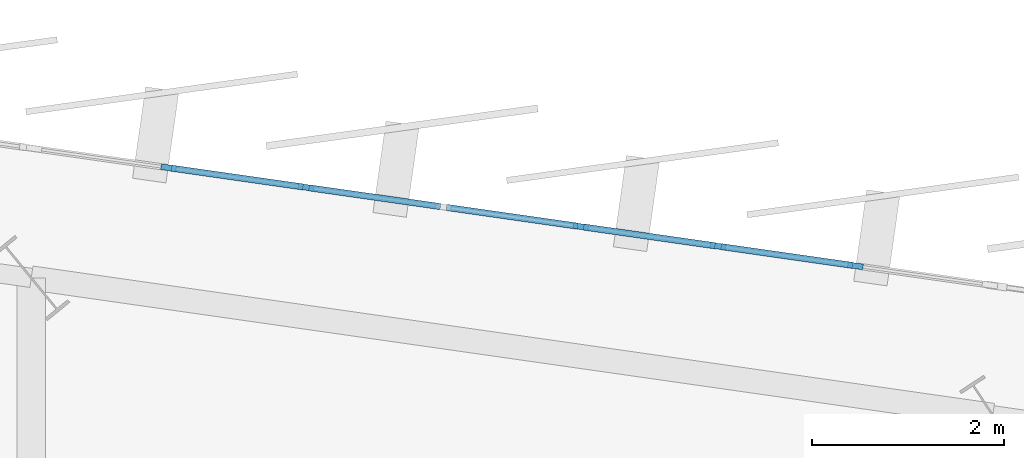
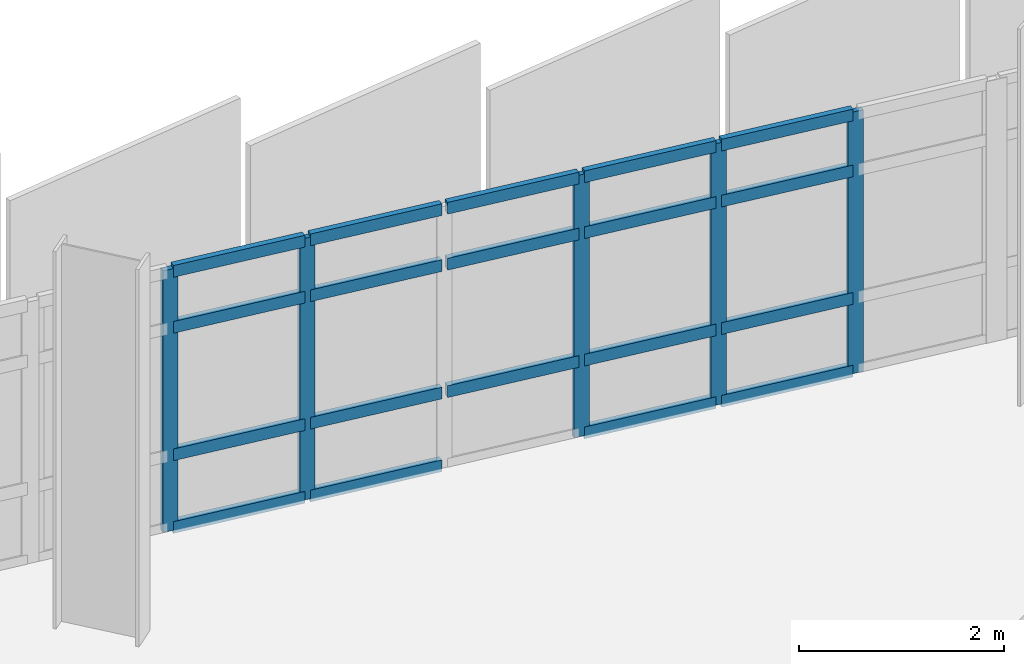
# One storey, part 38 of 87: 24 members, 1 element without a shape of its own.
"""IFC4 building model written with IfcOpenShell, lengths in metres."""

from ifc_helpers import new_model, si_unit, direction, frame, origin, origin_2d, place, context, subcontext, project, spatial, rectangle, extrude, material, layer, layer_set, material_profile, profile_set, type_object, element, aggregate, save


model = new_model("IFC4")

# Units and contexts
model_context = context("Model", 3, precision=1e-05, world=origin(), true_north=direction((0.0, 1.0)))
body_context = subcontext(model_context, "Body", "Model", "MODEL_VIEW")
ifc_project = project(units=[si_unit("LENGTHUNIT", "METRE"), si_unit("AREAUNIT", "SQUARE_METRE"), si_unit("VOLUMEUNIT", "CUBIC_METRE"), si_unit("PLANEANGLEUNIT", "RADIAN"), si_unit("MASSUNIT", "GRAM", prefix="KILO")], contexts=[model_context])

# Site, building, storey
site_placement = place(None, origin())
site = spatial("IfcSite", under=ifc_project, at=site_placement, CompositionType="ELEMENT")
building_placement = place(site_placement, origin())
building = spatial("IfcBuilding", under=site, at=building_placement, Name="Sohan Crest Arena", CompositionType="ELEMENT")
storey_placement = place(building_placement, frame((0.0, 0.0, 18.0)))
storey = spatial("IfcBuildingStorey", under=building, at=storey_placement, Name="L04", CompositionType="ELEMENT", Elevation=18.0)

# Curtain wall, members
ifc_material = material(Name="Thermally broken anodised aluminium", Category="aluminium")
ifc_layer = layer(ifc_material, 0.18994140625, Name="Thermally broken anodised aluminium")
ifc_layer_set = layer_set([ifc_layer], Name="Thermally broken anodised aluminium")
curtain_wall_type = type_object("IfcCurtainWallType", Name="ARC-CW05", PredefinedType="NOTDEFINED", material=ifc_layer_set)
curtain_wall_placement = place(storey_placement, origin())
curtain_wall = element("IfcCurtainWall", 1, at=curtain_wall_placement, inside=storey, type_object=curtain_wall_type, Name="Unitised curtain wall CW-140", PredefinedType="NOTDEFINED")
ifc_material_profile_1 = material_profile(ifc_material, rectangle(XDim=0.06005859375, YDim=0.159912109375, at=origin_2d()), Name="ALU-MULL 60x160")
ifc_profile_set_1 = profile_set([ifc_material_profile_1], Name="Thermally broken anodised aluminium")
member_type_1 = type_object("IfcMemberType", Name="ARC-CW-ML01", PredefinedType="MULLION", material=ifc_profile_set_1)
member_1_placement = place(storey_placement, frame((156.571533203125, 118.98291015625, 0.0), z_axis=(0.0, 0.0, 1.0), x_axis=(-0.141365918403, -0.989957411768, 0.0)))
member_1 = element("IfcMember", 2, at=member_1_placement, type_object=member_type_1, Name="CW-140 mullion 2", PredefinedType="MULLION", context=body_context, shape_type="SweptSolid", body=[
    extrude(rectangle(XDim=0.06005859375, YDim=0.159912109375, at=origin_2d()), origin(), (0.0, 0.0, 1.0), 3.1201171875),
])
member_2_placement = place(storey_placement, frame((155.142822265625, 119.18701171875, 0.0), z_axis=(0.0, 0.0, 1.0), x_axis=(-0.141365918403, -0.989957411768, 0.0)))
member_2 = element("IfcMember", 3, at=member_2_placement, type_object=member_type_1, Name="CW-140 mullion 3", PredefinedType="MULLION", context=body_context, shape_type="SweptSolid", body=[
    extrude(rectangle(XDim=0.06005859375, YDim=0.159912109375, at=origin_2d()), origin(), (0.0, 0.0, 1.0), 3.1201171875),
])
member_3_placement = place(storey_placement, frame((153.71435546875, 119.39111328125, 0.0), z_axis=(0.0, 0.0, 1.0), x_axis=(-0.141365918403, -0.989957411768, 0.0)))
member_3 = element("IfcMember", 4, at=member_3_placement, type_object=member_type_1, Name="CW-140 mullion 4", PredefinedType="MULLION", context=body_context, shape_type="SweptSolid", body=[
    extrude(rectangle(XDim=0.06005859375, YDim=0.159912109375, at=origin_2d()), origin(), (0.0, 0.0, 1.0), 3.1201171875),
])
member_4_placement = place(storey_placement, frame((150.857177734375, 119.799072265625, 0.0), z_axis=(0.0, 0.0, 1.0), x_axis=(-0.141365918403, -0.989957411768, 0.0)))
member_4 = element("IfcMember", 5, at=member_4_placement, type_object=member_type_1, Name="CW-140 mullion 6", PredefinedType="MULLION", context=body_context, shape_type="SweptSolid", body=[
    extrude(rectangle(XDim=0.06005859375, YDim=0.159912109375, at=origin_2d()), origin(), (0.0, 0.0, 1.0), 3.1201171875),
])
member_5_placement = place(storey_placement, frame((149.428466796875, 120.0029296875, 0.0), z_axis=(0.0, 0.0, 1.0), x_axis=(-0.141365918403, -0.989957411768, 0.0)))
member_5 = element("IfcMember", 6, at=member_5_placement, type_object=member_type_1, Name="CW-140 mullion 7", PredefinedType="MULLION", context=body_context, shape_type="SweptSolid", body=[
    extrude(rectangle(XDim=0.06005859375, YDim=0.159912109375, at=origin_2d()), origin(), (0.0, 0.0, 1.0), 3.1201171875),
])
ifc_material_profile_2 = material_profile(ifc_material, rectangle(XDim=0.06494140625, YDim=0.139892578125, at=origin_2d()), Name="ALU-TRAN 65x140")
ifc_profile_set_2 = profile_set([ifc_material_profile_2], Name="Thermally broken anodised aluminium")
member_type_2 = type_object("IfcMemberType", Name="ARC-CW-TR02", PredefinedType="USERDEFINED", material=ifc_profile_set_2)
member_6_placement = place(storey_placement, frame((156.541748046875, 118.9873046875, 0.032470703125), z_axis=(-0.989953023856, 0.141396642673, 0.0), x_axis=(-0.141396642673, -0.989953023856, 0.0)))
member_6 = element("IfcMember", 7, at=member_6_placement, type_object=member_type_2, Name="CW-140 transom 2.1", ObjectType="TRANSOM", PredefinedType="USERDEFINED", context=body_context, shape_type="SweptSolid", body=[
    extrude(rectangle(XDim=0.06494140625, YDim=0.139892578125, at=origin_2d()), origin(), (0.0, 0.0, 1.0), 1.383056640625),
])
member_7_placement = place(storey_placement, frame((156.541748046875, 118.9873046875, 0.89990234375), z_axis=(-0.989953023856, 0.141396642673, 0.0), x_axis=(-0.141396642673, -0.989953023856, 0.0)))
member_7 = element("IfcMember", 8, at=member_7_placement, type_object=member_type_2, Name="CW-140 transom 2.2", ObjectType="TRANSOM", PredefinedType="USERDEFINED", context=body_context, shape_type="SweptSolid", body=[
    extrude(rectangle(XDim=0.06494140625, YDim=0.139892578125, at=origin_2d()), origin(), (0.0, 0.0, 1.0), 1.383056640625),
])
member_8_placement = place(storey_placement, frame((156.541748046875, 118.9873046875, 2.419921875), z_axis=(-0.989953023856, 0.141396642673, 0.0), x_axis=(-0.141396642673, -0.989953023856, 0.0)))
member_8 = element("IfcMember", 9, at=member_8_placement, type_object=member_type_2, Name="CW-140 transom 2.3", ObjectType="TRANSOM", PredefinedType="USERDEFINED", context=body_context, shape_type="SweptSolid", body=[
    extrude(rectangle(XDim=0.06494140625, YDim=0.139892578125, at=origin_2d()), origin(), (0.0, 0.0, 1.0), 1.383056640625),
])
member_9_placement = place(storey_placement, frame((156.541748046875, 118.9873046875, 3.08740234375), z_axis=(-0.989953023856, 0.141396642673, 0.0), x_axis=(-0.141396642673, -0.989953023856, 0.0)))
member_9 = element("IfcMember", 10, at=member_9_placement, type_object=member_type_2, Name="CW-140 transom 2.4", ObjectType="TRANSOM", PredefinedType="USERDEFINED", context=body_context, shape_type="SweptSolid", body=[
    extrude(rectangle(XDim=0.06494140625, YDim=0.139892578125, at=origin_2d()), origin(), (0.0, 0.0, 1.0), 1.383056640625),
])
member_10_placement = place(storey_placement, frame((155.113037109375, 119.191162109375, 0.032470703125), z_axis=(-0.989953023856, 0.141396642673, 0.0), x_axis=(-0.141396642673, -0.989953023856, 0.0)))
member_10 = element("IfcMember", 11, at=member_10_placement, type_object=member_type_2, Name="CW-140 transom 3.1", ObjectType="TRANSOM", PredefinedType="USERDEFINED", context=body_context, shape_type="SweptSolid", body=[
    extrude(rectangle(XDim=0.06494140625, YDim=0.139892578125, at=origin_2d()), origin(), (0.0, 0.0, 1.0), 1.383056640625),
])
member_11_placement = place(storey_placement, frame((155.113037109375, 119.191162109375, 0.89990234375), z_axis=(-0.989953023856, 0.141396642673, 0.0), x_axis=(-0.141396642673, -0.989953023856, 0.0)))
member_11 = element("IfcMember", 12, at=member_11_placement, type_object=member_type_2, Name="CW-140 transom 3.2", ObjectType="TRANSOM", PredefinedType="USERDEFINED", context=body_context, shape_type="SweptSolid", body=[
    extrude(rectangle(XDim=0.06494140625, YDim=0.139892578125, at=origin_2d()), origin(), (0.0, 0.0, 1.0), 1.383056640625),
])
member_12_placement = place(storey_placement, frame((155.113037109375, 119.191162109375, 2.419921875), z_axis=(-0.989953023856, 0.141396642673, 0.0), x_axis=(-0.141396642673, -0.989953023856, 0.0)))
member_12 = element("IfcMember", 13, at=member_12_placement, type_object=member_type_2, Name="CW-140 transom 3.3", ObjectType="TRANSOM", PredefinedType="USERDEFINED", context=body_context, shape_type="SweptSolid", body=[
    extrude(rectangle(XDim=0.06494140625, YDim=0.139892578125, at=origin_2d()), origin(), (0.0, 0.0, 1.0), 1.383056640625),
])
member_13_placement = place(storey_placement, frame((155.113037109375, 119.191162109375, 3.08740234375), z_axis=(-0.989953023856, 0.141396642673, 0.0), x_axis=(-0.141396642673, -0.989953023856, 0.0)))
member_13 = element("IfcMember", 14, at=member_13_placement, type_object=member_type_2, Name="CW-140 transom 3.4", ObjectType="TRANSOM", PredefinedType="USERDEFINED", context=body_context, shape_type="SweptSolid", body=[
    extrude(rectangle(XDim=0.06494140625, YDim=0.139892578125, at=origin_2d()), origin(), (0.0, 0.0, 1.0), 1.383056640625),
])
member_14_placement = place(storey_placement, frame((153.6845703125, 119.395263671875, 0.89990234375), z_axis=(-0.989953023856, 0.141396642673, 0.0), x_axis=(-0.141396642673, -0.989953023856, 0.0)))
member_14 = element("IfcMember", 15, at=member_14_placement, type_object=member_type_2, Name="CW-140 transom 4.2", ObjectType="TRANSOM", PredefinedType="USERDEFINED", context=body_context, shape_type="SweptSolid", body=[
    extrude(rectangle(XDim=0.06494140625, YDim=0.139892578125, at=origin_2d()), origin(), (0.0, 0.0, 1.0), 1.383056640625),
])
member_15_placement = place(storey_placement, frame((153.6845703125, 119.395263671875, 2.419921875), z_axis=(-0.989953023856, 0.141396642673, 0.0), x_axis=(-0.141396642673, -0.989953023856, 0.0)))
member_15 = element("IfcMember", 16, at=member_15_placement, type_object=member_type_2, Name="CW-140 transom 4.3", ObjectType="TRANSOM", PredefinedType="USERDEFINED", context=body_context, shape_type="SweptSolid", body=[
    extrude(rectangle(XDim=0.06494140625, YDim=0.139892578125, at=origin_2d()), origin(), (0.0, 0.0, 1.0), 1.383056640625),
])
member_16_placement = place(storey_placement, frame((153.6845703125, 119.395263671875, 3.08740234375), z_axis=(-0.989953023856, 0.141396642673, 0.0), x_axis=(-0.141396642673, -0.989953023856, 0.0)))
member_16 = element("IfcMember", 17, at=member_16_placement, type_object=member_type_2, Name="CW-140 transom 4.4", ObjectType="TRANSOM", PredefinedType="USERDEFINED", context=body_context, shape_type="SweptSolid", body=[
    extrude(rectangle(XDim=0.06494140625, YDim=0.139892578125, at=origin_2d()), origin(), (0.0, 0.0, 1.0), 1.383056640625),
])
member_17_placement = place(storey_placement, frame((152.256103515625, 119.59912109375, 0.032470703125), z_axis=(-0.989953023856, 0.141396642673, 0.0), x_axis=(-0.141396642673, -0.989953023856, 0.0)))
member_17 = element("IfcMember", 18, at=member_17_placement, type_object=member_type_2, Name="CW-140 transom 5.1", ObjectType="TRANSOM", PredefinedType="USERDEFINED", context=body_context, shape_type="SweptSolid", body=[
    extrude(rectangle(XDim=0.06494140625, YDim=0.139892578125, at=origin_2d()), origin(), (0.0, 0.0, 1.0), 1.383056640625),
])
member_18_placement = place(storey_placement, frame((152.256103515625, 119.59912109375, 0.89990234375), z_axis=(-0.989953023856, 0.141396642673, 0.0), x_axis=(-0.141396642673, -0.989953023856, 0.0)))
member_18 = element("IfcMember", 19, at=member_18_placement, type_object=member_type_2, Name="CW-140 transom 5.2", ObjectType="TRANSOM", PredefinedType="USERDEFINED", context=body_context, shape_type="SweptSolid", body=[
    extrude(rectangle(XDim=0.06494140625, YDim=0.139892578125, at=origin_2d()), origin(), (0.0, 0.0, 1.0), 1.383056640625),
])
member_19_placement = place(storey_placement, frame((152.256103515625, 119.59912109375, 2.419921875), z_axis=(-0.989953023856, 0.141396642673, 0.0), x_axis=(-0.141396642673, -0.989953023856, 0.0)))
member_19 = element("IfcMember", 20, at=member_19_placement, type_object=member_type_2, Name="CW-140 transom 5.3", ObjectType="TRANSOM", PredefinedType="USERDEFINED", context=body_context, shape_type="SweptSolid", body=[
    extrude(rectangle(XDim=0.06494140625, YDim=0.139892578125, at=origin_2d()), origin(), (0.0, 0.0, 1.0), 1.383056640625),
])
member_20_placement = place(storey_placement, frame((152.256103515625, 119.59912109375, 3.08740234375), z_axis=(-0.989953023856, 0.141396642673, 0.0), x_axis=(-0.141396642673, -0.989953023856, 0.0)))
member_20 = element("IfcMember", 21, at=member_20_placement, type_object=member_type_2, Name="CW-140 transom 5.4", ObjectType="TRANSOM", PredefinedType="USERDEFINED", context=body_context, shape_type="SweptSolid", body=[
    extrude(rectangle(XDim=0.06494140625, YDim=0.139892578125, at=origin_2d()), origin(), (0.0, 0.0, 1.0), 1.383056640625),
])
member_21_placement = place(storey_placement, frame((150.827392578125, 119.80322265625, 0.032470703125), z_axis=(-0.989953023856, 0.141396642673, 0.0), x_axis=(-0.141396642673, -0.989953023856, 0.0)))
member_21 = element("IfcMember", 22, at=member_21_placement, type_object=member_type_2, Name="CW-140 transom 6.1", ObjectType="TRANSOM", PredefinedType="USERDEFINED", context=body_context, shape_type="SweptSolid", body=[
    extrude(rectangle(XDim=0.06494140625, YDim=0.139892578125, at=origin_2d()), origin(), (0.0, 0.0, 1.0), 1.383056640625),
])
member_22_placement = place(storey_placement, frame((150.827392578125, 119.80322265625, 0.89990234375), z_axis=(-0.989953023856, 0.141396642673, 0.0), x_axis=(-0.141396642673, -0.989953023856, 0.0)))
member_22 = element("IfcMember", 23, at=member_22_placement, type_object=member_type_2, Name="CW-140 transom 6.2", ObjectType="TRANSOM", PredefinedType="USERDEFINED", context=body_context, shape_type="SweptSolid", body=[
    extrude(rectangle(XDim=0.06494140625, YDim=0.139892578125, at=origin_2d()), origin(), (0.0, 0.0, 1.0), 1.383056640625),
])
member_23_placement = place(storey_placement, frame((150.827392578125, 119.80322265625, 2.419921875), z_axis=(-0.989953023856, 0.141396642673, 0.0), x_axis=(-0.141396642673, -0.989953023856, 0.0)))
member_23 = element("IfcMember", 24, at=member_23_placement, type_object=member_type_2, Name="CW-140 transom 6.3", ObjectType="TRANSOM", PredefinedType="USERDEFINED", context=body_context, shape_type="SweptSolid", body=[
    extrude(rectangle(XDim=0.06494140625, YDim=0.139892578125, at=origin_2d()), origin(), (0.0, 0.0, 1.0), 1.383056640625),
])
member_24_placement = place(storey_placement, frame((150.827392578125, 119.80322265625, 3.08740234375), z_axis=(-0.989953023856, 0.141396642673, 0.0), x_axis=(-0.141396642673, -0.989953023856, 0.0)))
member_24 = element("IfcMember", 25, at=member_24_placement, type_object=member_type_2, Name="CW-140 transom 6.4", ObjectType="TRANSOM", PredefinedType="USERDEFINED", context=body_context, shape_type="SweptSolid", body=[
    extrude(rectangle(XDim=0.06494140625, YDim=0.139892578125, at=origin_2d()), origin(), (0.0, 0.0, 1.0), 1.383056640625),
])
aggregate(curtain_wall, [member_1, member_2, member_3, member_4, member_5, member_6, member_7, member_8, member_9, member_10, member_11, member_12, member_13, member_14, member_15, member_16, member_17, member_18, member_19, member_20, member_21, member_22, member_23, member_24])

save(model, "model.ifc")
